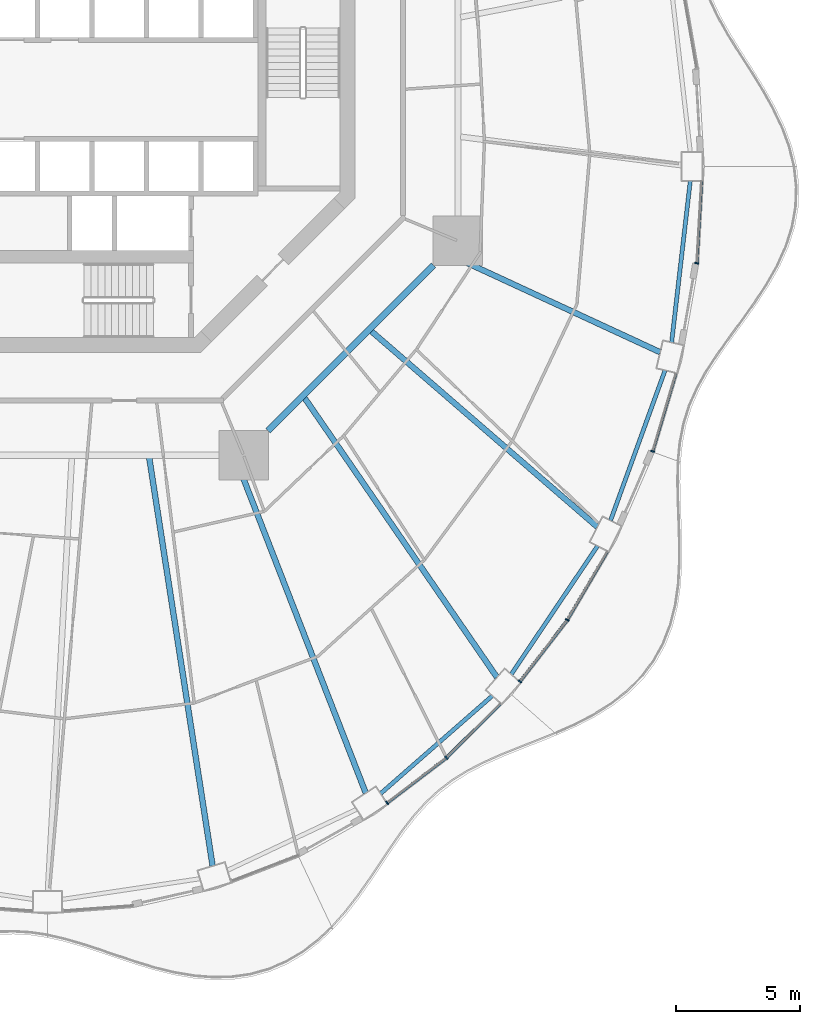
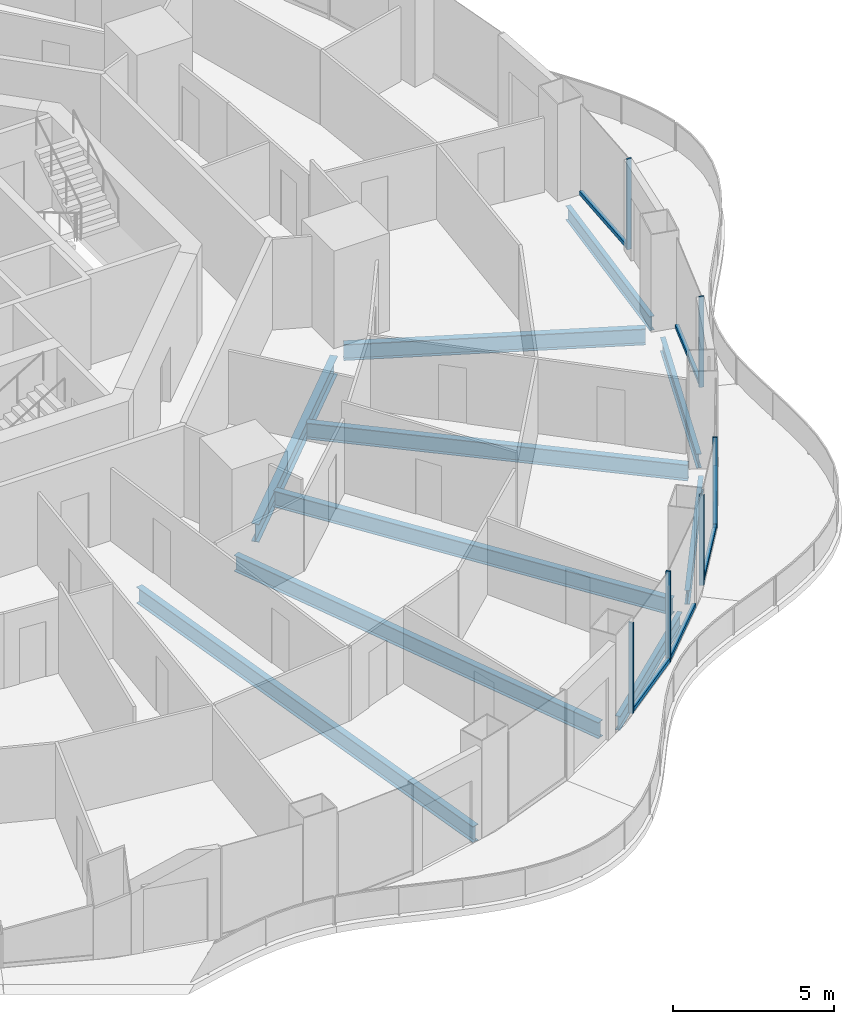
# One storey, part 5 of 19: 12 members, 10 beams, 6 elements without a shape of their own.
"""IFC4 building model written with IfcOpenShell, lengths in metres."""

from ifc_helpers import new_model, si_unit, direction, frame, origin, origin_2d, place, context, subcontext, project, spatial, rectangle, i_section, extrude, material, layer, layer_set, material_profile, profile_set, type_object, element, aggregate, save


model = new_model("IFC4")

# Units and contexts
model_context = context("Model", 3, precision=1e-05, world=origin(), true_north=direction((0.0, 1.0)))
body_context = subcontext(model_context, "Body", "Model", "MODEL_VIEW")
ifc_project = project(units=[si_unit("LENGTHUNIT", "METRE"), si_unit("AREAUNIT", "SQUARE_METRE"), si_unit("VOLUMEUNIT", "CUBIC_METRE"), si_unit("PLANEANGLEUNIT", "RADIAN"), si_unit("MASSUNIT", "GRAM", prefix="KILO")], contexts=[model_context])

# Site, building, storey
site_placement = place(None, origin())
site = spatial("IfcSite", under=ifc_project, at=site_placement, CompositionType="ELEMENT")
building_placement = place(site_placement, origin())
building = spatial("IfcBuilding", under=site, at=building_placement, Name="Nagisa Residences", CompositionType="ELEMENT")
storey_placement = place(building_placement, frame((0.0, 0.0, 149.199951171875)))
storey = spatial("IfcBuildingStorey", under=building, at=storey_placement, Name="L37", CompositionType="ELEMENT", Elevation=149.199951171875)

# Curtain wall, member
ifc_material_1 = material(Name="Concrete-coloured aluminium curtain wall system", Category="concrete")
ifc_layer = layer(ifc_material_1, 0.159912109375)
ifc_layer_set = layer_set([ifc_layer], Name="CW1 CURTAIN WALL")
curtain_wall_type = type_object("IfcCurtainWallType", Name="CW1 CURTAIN WALL", PredefinedType="NOTDEFINED", material=ifc_layer_set)
curtain_wall_1_placement = place(storey_placement, origin())
curtain_wall_1 = element("IfcCurtainWall", 1, at=curtain_wall_1_placement, inside=storey, type_object=curtain_wall_type, Name="cw:CW1:L37:40", PredefinedType="NOTDEFINED")
ifc_material_2 = material(Name="Concrete-coloured aluminium", Category="concrete")
ifc_material_profile_1 = material_profile(ifc_material_2, rectangle(XDim=0.159912109375, YDim=0.06005859375, at=origin_2d()), Name="CW1 MULLION 160x60")
ifc_profile_set_1 = profile_set([ifc_material_profile_1], Name="Concrete-coloured aluminium")
member_type_1 = type_object("IfcMemberType", Name="CW1 MULLION 160x60", PredefinedType="MULLION", material=ifc_profile_set_1)
member_1_placement = place(storey_placement, frame((11.920654296875, -28.822265625, 0.0), z_axis=(0.0, 0.0, 1.0), x_axis=(-0.605255421737, 0.79603132756, 0.0)))
member_1 = element("IfcMember", 2, at=member_1_placement, type_object=member_type_1, Name="CW1 mullion", PredefinedType="MULLION", context=body_context, shape_type="SweptSolid", body=[
    extrude(rectangle(XDim=0.159912109375, YDim=0.06005859375, at=origin_2d()), origin(), (0.0, 0.0, 1.0), 3.43994140625),
])

curtain_wall_2_placement = place(storey_placement, origin())
curtain_wall_2 = element("IfcCurtainWall", 3, at=curtain_wall_2_placement, inside=storey, type_object=curtain_wall_type, Name="cw:CW1:L37:41", PredefinedType="NOTDEFINED")
member_2_placement = place(storey_placement, frame((14.318115234375, -26.9951171875, 0.0), z_axis=(0.0, 0.0, 1.0), x_axis=(-0.706376885714, 0.707835924016, 0.0)))
member_2 = element("IfcMember", 4, at=member_2_placement, type_object=member_type_1, Name="CW1 mullion", PredefinedType="MULLION", context=body_context, shape_type="SweptSolid", body=[
    extrude(rectangle(XDim=0.159912109375, YDim=0.06005859375, at=origin_2d()), origin(), (0.0, 0.0, 1.0), 3.43994140625),
])

curtain_wall_3_placement = place(storey_placement, origin())
curtain_wall_3 = element("IfcCurtainWall", 5, at=curtain_wall_3_placement, inside=storey, type_object=curtain_wall_type, Name="cw:CW1:L37:42", PredefinedType="NOTDEFINED")
member_3_placement = place(storey_placement, frame((17.2841796875, -23.9208984375, 0.0), z_axis=(0.0, 0.0, 1.0), x_axis=(-0.792070340816, 0.610429828235, 0.0)))
member_3 = element("IfcMember", 6, at=member_3_placement, type_object=member_type_1, Name="CW1 mullion", PredefinedType="MULLION", context=body_context, shape_type="SweptSolid", body=[
    extrude(rectangle(XDim=0.159912109375, YDim=0.06005859375, at=origin_2d()), origin(), (0.0, 0.0, 1.0), 3.43994140625),
])

curtain_wall_4_placement = place(storey_placement, origin())
curtain_wall_4 = element("IfcCurtainWall", 7, at=curtain_wall_4_placement, inside=storey, type_object=curtain_wall_type, Name="cw:CW1:L37:43", PredefinedType="NOTDEFINED")
member_4_placement = place(storey_placement, frame((19.19775390625, -21.432861328125, 0.0), z_axis=(0.0, 0.0, 1.0), x_axis=(-0.862328898214, 0.506348567002, 0.0)))
member_4 = element("IfcMember", 8, at=member_4_placement, type_object=member_type_1, Name="CW1 mullion", PredefinedType="MULLION", context=body_context, shape_type="SweptSolid", body=[
    extrude(rectangle(XDim=0.159912109375, YDim=0.06005859375, at=origin_2d()), origin(), (0.0, 0.0, 1.0), 3.43994140625),
])

curtain_wall_5_placement = place(storey_placement, origin())
curtain_wall_5 = element("IfcCurtainWall", 9, at=curtain_wall_5_placement, inside=storey, type_object=curtain_wall_type, Name="cw:CW1:L37:45", PredefinedType="NOTDEFINED")
member_5_placement = place(storey_placement, frame((22.64697265625, -14.62109375, 0.0), z_axis=(0.0, 0.0, 1.0), x_axis=(-0.958271310082, 0.285860274038, 0.0)))
member_5 = element("IfcMember", 10, at=member_5_placement, type_object=member_type_1, Name="CW1 mullion", PredefinedType="MULLION", context=body_context, shape_type="SweptSolid", body=[
    extrude(rectangle(XDim=0.159912109375, YDim=0.06005859375, at=origin_2d()), origin(), (0.0, 0.0, 1.0), 3.43994140625),
])

curtain_wall_6_placement = place(storey_placement, origin())
curtain_wall_6 = element("IfcCurtainWall", 11, at=curtain_wall_6_placement, inside=storey, type_object=curtain_wall_type, Name="cw:CW1:L37:47", PredefinedType="NOTDEFINED")
member_6_placement = place(storey_placement, frame((24.429931640625, -7.0244140625, 0.0), z_axis=(0.0, 0.0, 1.0), x_axis=(-0.998345305184, 0.057503492216, 0.0)))
member_6 = element("IfcMember", 12, at=member_6_placement, type_object=member_type_1, Name="CW1 mullion", PredefinedType="MULLION", context=body_context, shape_type="SweptSolid", body=[
    extrude(rectangle(XDim=0.159912109375, YDim=0.06005859375, at=origin_2d()), origin(), (0.0, 0.0, 1.0), 3.43994140625),
])

# Member
ifc_material_3 = material(Name="Concrete-coloured aluminium", Category="concrete")
ifc_material_profile_2 = material_profile(ifc_material_3, rectangle(XDim=0.1201171875, YDim=0.14990234375, at=origin_2d()), Name="CW1 TRANSOM 120x150")
ifc_profile_set_2 = profile_set([ifc_material_profile_2], Name="Concrete-coloured aluminium")
member_type_2 = type_object("IfcMemberType", Name="CW1 TRANSOM 120x150", PredefinedType="USERDEFINED", material=ifc_profile_set_2)
member_7_placement = place(storey_placement, frame((11.896728515625, -28.840576171875, 0.074951171875), z_axis=(0.796022231079, 0.605267385233, 0.0), x_axis=(-0.605267385233, 0.796022231079, 0.0)))
member_7 = element("IfcMember", 13, at=member_7_placement, type_object=member_type_2, Name="CW1 transom", ObjectType="TRANSOM", PredefinedType="USERDEFINED", context=body_context, shape_type="SweptSolid", body=[
    extrude(rectangle(XDim=0.1201171875, YDim=0.14990234375, at=origin_2d()), origin(), (0.0, 0.0, 1.0), 3.025634765625),
])

aggregate(curtain_wall_1, [member_1, member_7])

member_8_placement = place(storey_placement, frame((14.296875, -27.016357421875, 0.074951171875), z_axis=(0.707857739375, 0.706355024621, 0.0), x_axis=(-0.706355024621, 0.707857739375, 0.0)))
member_8 = element("IfcMember", 14, at=member_8_placement, type_object=member_type_2, Name="CW1 transom", ObjectType="TRANSOM", PredefinedType="USERDEFINED", context=body_context, shape_type="SweptSolid", body=[
    extrude(rectangle(XDim=0.1201171875, YDim=0.14990234375, at=origin_2d()), origin(), (0.0, 0.0, 1.0), 3.0869140625),
])

aggregate(curtain_wall_2, [member_2, member_8])

member_9_placement = place(storey_placement, frame((17.265869140625, -23.94482421875, 0.074951171875), z_axis=(0.610429847179, 0.792070326217, 0.0), x_axis=(-0.792070326217, 0.610429847179, 0.0)))
member_9 = element("IfcMember", 15, at=member_9_placement, type_object=member_type_2, Name="CW1 transom", ObjectType="TRANSOM", PredefinedType="USERDEFINED", context=body_context, shape_type="SweptSolid", body=[
    extrude(rectangle(XDim=0.1201171875, YDim=0.14990234375, at=origin_2d()), origin(), (0.0, 0.0, 1.0), 3.149169921875),
])

aggregate(curtain_wall_3, [member_3, member_9])

member_10_placement = place(storey_placement, frame((19.1826171875, -21.458740234375, 0.074951171875), z_axis=(0.506348207891, 0.86232910908, 0.0), x_axis=(-0.86232910908, 0.506348207891, 0.0)))
member_10 = element("IfcMember", 16, at=member_10_placement, type_object=member_type_2, Name="CW1 transom", ObjectType="TRANSOM", PredefinedType="USERDEFINED", context=body_context, shape_type="SweptSolid", body=[
    extrude(rectangle(XDim=0.1201171875, YDim=0.14990234375, at=origin_2d()), origin(), (0.0, 0.0, 1.0), 3.208251953125),
])

aggregate(curtain_wall_4, [member_4, member_10])

member_11_placement = place(storey_placement, frame((22.638427734375, -14.64990234375, 0.074951171875), z_axis=(0.285909915381, 0.958256500258, 0.0), x_axis=(-0.958256500258, 0.285909915381, 0.0)))
member_11 = element("IfcMember", 17, at=member_11_placement, type_object=member_type_2, Name="CW1 transom", ObjectType="TRANSOM", PredefinedType="USERDEFINED", context=body_context, shape_type="SweptSolid", body=[
    extrude(rectangle(XDim=0.1201171875, YDim=0.14990234375, at=origin_2d()), origin(), (0.0, 0.0, 1.0), 3.302978515625),
])

aggregate(curtain_wall_5, [member_5, member_11])

member_12_placement = place(storey_placement, frame((24.42822265625, -7.054443359375, 0.074951171875), z_axis=(0.05746514539, 0.998347513176, 0.0), x_axis=(-0.998347513176, 0.05746514539, 0.0)))
member_12 = element("IfcMember", 18, at=member_12_placement, type_object=member_type_2, Name="CW1 transom", ObjectType="TRANSOM", PredefinedType="USERDEFINED", context=body_context, shape_type="SweptSolid", body=[
    extrude(rectangle(XDim=0.1201171875, YDim=0.14990234375, at=origin_2d()), origin(), (0.0, 0.0, 1.0), 3.347900390625),
])

aggregate(curtain_wall_6, [member_6, member_12])

# Beams
ifc_material_4 = material(Name="Steel ASTM A572 Gr 50", Category="steel")
ifc_material_profile_3 = material_profile(ifc_material_4, i_section(OverallWidth=0.25390625, OverallDepth=0.68408203125, WebThickness=0.012451171875, FlangeThickness=0.018798828125, at=origin_2d()), Name="W690x140")
ifc_profile_set_3 = profile_set([ifc_material_profile_3], Name="Steel ASTM A572 Gr 50")
beam_type_1 = type_object("IfcBeamType", Name="Inner ring beam W690x140", PredefinedType="BEAM", material=ifc_profile_set_3)
beam_1_placement = place(storey_placement, frame((7.10888671875, -13.796142578125, -0.60205078125), z_axis=(0.707106781187, 0.707106781187, 0.0), x_axis=(-0.707106781187, 0.707106781187, 0.0)))
element("IfcBeam", 19, at=beam_1_placement, inside=storey, type_object=beam_type_1, Name="beam:L37:ib7", PredefinedType="BEAM", context=body_context, shape_type="SweptSolid", body=[
    extrude(i_section(OverallWidth=0.25390625, OverallDepth=0.68408203125, WebThickness=0.012451171875, FlangeThickness=0.018798828125, at=origin_2d()), origin(), (0.0, 0.0, 1.0), 9.457275390625),
])
ifc_material_5 = material(Name="Steel ASTM A572 Gr 50", Category="steel")
ifc_material_profile_4 = material_profile(ifc_material_5, i_section(OverallWidth=0.166015625, OverallDepth=0.534912109375, WebThickness=0.01025390625, FlangeThickness=0.0166015625, at=origin_2d()), Name="W530x85")
ifc_profile_set_4 = profile_set([ifc_material_profile_4], Name="Steel ASTM A572 Gr 50")
beam_type_2 = type_object("IfcBeamType", Name="Perimeter ring beam W530x85", PredefinedType="BEAM", material=ifc_profile_set_4)
beam_2_placement = place(storey_placement, frame((11.658203125, -28.448486328125, -0.52734375), z_axis=(0.75252371036, 0.658565156493, 0.0), x_axis=(-0.658565156493, 0.75252371036, 0.0)))
element("IfcBeam", 20, at=beam_2_placement, inside=storey, type_object=beam_type_2, Name="beam:L37:pb21", PredefinedType="BEAM", context=body_context, shape_type="SweptSolid", body=[
    extrude(i_section(OverallWidth=0.166015625, OverallDepth=0.534912109375, WebThickness=0.01025390625, FlangeThickness=0.0166015625, at=origin_2d()), origin(), (0.0, 0.0, 1.0), 5.994384765625),
])
beam_3_placement = place(storey_placement, frame((16.93603515625, -23.6298828125, -0.52734375), z_axis=(0.558187951157, 0.82971453596, 0.0), x_axis=(-0.82971453596, 0.558187951157, 0.0)))
element("IfcBeam", 21, at=beam_3_placement, inside=storey, type_object=beam_type_2, Name="beam:L37:pb22", PredefinedType="BEAM", context=body_context, shape_type="SweptSolid", body=[
    extrude(i_section(OverallWidth=0.166015625, OverallDepth=0.534912109375, WebThickness=0.01025390625, FlangeThickness=0.0166015625, at=origin_2d()), origin(), (0.0, 0.0, 1.0), 6.24267578125),
])
beam_4_placement = place(storey_placement, frame((20.946533203125, -17.415771484375, -0.52734375), z_axis=(0.341332802315, 0.93994250785, 0.0), x_axis=(-0.93994250785, 0.341332802315, 0.0)))
element("IfcBeam", 22, at=beam_4_placement, inside=storey, type_object=beam_type_2, Name="beam:L37:pb23", PredefinedType="BEAM", context=body_context, shape_type="SweptSolid", body=[
    extrude(i_section(OverallWidth=0.166015625, OverallDepth=0.534912109375, WebThickness=0.01025390625, FlangeThickness=0.0166015625, at=origin_2d()), origin(), (0.0, 0.0, 1.0), 6.450927734375),
])
beam_5_placement = place(storey_placement, frame((23.414794921875, -10.22314453125, -0.52734375), z_axis=(0.114660786771, 0.993404703017, 0.0), x_axis=(-0.993404703017, 0.114660786771, 0.0)))
element("IfcBeam", 23, at=beam_5_placement, inside=storey, type_object=beam_type_2, Name="beam:L37:pb24", PredefinedType="BEAM", context=body_context, shape_type="SweptSolid", body=[
    extrude(i_section(OverallWidth=0.166015625, OverallDepth=0.534912109375, WebThickness=0.01025390625, FlangeThickness=0.0166015625, at=origin_2d()), origin(), (0.0, 0.0, 1.0), 6.568603515625),
])
ifc_material_6 = material(Name="Steel ASTM A572 Gr 50", Category="steel")
ifc_material_profile_5 = material_profile(ifc_material_6, i_section(OverallWidth=0.22900390625, OverallDepth=0.612060546875, WebThickness=0.011962890625, FlangeThickness=0.01953125, at=origin_2d()), Name="W610x125")
ifc_profile_set_5 = profile_set([ifc_material_profile_5], Name="Steel ASTM A572 Gr 50")
beam_type_3 = type_object("IfcBeamType", Name="Radial beam W610x125", PredefinedType="BEAM", material=ifc_profile_set_5)
beam_6_placement = place(storey_placement, frame((4.87158203125, -31.371337890625, -0.56591796875), z_axis=(-0.153441816097, 0.988157684316, 0.0), x_axis=(-0.988157684316, -0.153441816097, 0.0)))
element("IfcBeam", 24, at=beam_6_placement, inside=storey, type_object=beam_type_3, Name="beam:L37:rb20", PredefinedType="BEAM", context=body_context, shape_type="SweptSolid", body=[
    extrude(i_section(OverallWidth=0.22900390625, OverallDepth=0.612060546875, WebThickness=0.011962890625, FlangeThickness=0.01953125, at=origin_2d()), origin(), (0.0, 0.0, 1.0), 16.679443359375),
])
beam_7_placement = place(storey_placement, frame((11.057861328125, -28.424072265625, -0.56591796875), z_axis=(-0.362553351511, 0.931963018208, 0.0), x_axis=(-0.931963018208, -0.362553351511, 0.0)))
element("IfcBeam", 25, at=beam_7_placement, inside=storey, type_object=beam_type_3, Name="beam:L37:rb21", PredefinedType="BEAM", context=body_context, shape_type="SweptSolid", body=[
    extrude(i_section(OverallWidth=0.22900390625, OverallDepth=0.612060546875, WebThickness=0.011962890625, FlangeThickness=0.01953125, at=origin_2d()), origin(), (0.0, 0.0, 1.0), 14.521728515625),
])
beam_8_placement = place(storey_placement, frame((16.357666015625, -23.74951171875, -0.56591796875), z_axis=(-0.567235127754, 0.823555893575, 0.0), x_axis=(-0.823555893575, -0.567235127754, 0.0)))
element("IfcBeam", 26, at=beam_8_placement, inside=storey, type_object=beam_type_3, Name="beam:L37:rb22", PredefinedType="BEAM", context=body_context, shape_type="SweptSolid", body=[
    extrude(i_section(OverallWidth=0.22900390625, OverallDepth=0.612060546875, WebThickness=0.011962890625, FlangeThickness=0.01953125, at=origin_2d()), origin(), (0.0, 0.0, 1.0), 13.697509765625),
])
beam_9_placement = place(storey_placement, frame((20.41162109375, -17.6748046875, -0.56591796875), z_axis=(-0.755973913649, 0.654601742957, 0.0), x_axis=(-0.654601742957, -0.755973913649, 0.0)))
element("IfcBeam", 27, at=beam_9_placement, inside=storey, type_object=beam_type_3, Name="beam:L37:rb23", PredefinedType="BEAM", context=body_context, shape_type="SweptSolid", body=[
    extrude(i_section(OverallWidth=0.22900390625, OverallDepth=0.612060546875, WebThickness=0.011962890625, FlangeThickness=0.01953125, at=origin_2d()), origin(), (0.0, 0.0, 1.0), 12.072998046875),
])
beam_10_placement = place(storey_placement, frame((22.94921875, -10.618896484375, -0.56591796875), z_axis=(-0.907551024181, 0.419941827528, 0.0), x_axis=(-0.419941827528, -0.907551024181, 0.0)))
element("IfcBeam", 28, at=beam_10_placement, inside=storey, type_object=beam_type_3, Name="beam:L37:rb24", PredefinedType="BEAM", context=body_context, shape_type="SweptSolid", body=[
    extrude(i_section(OverallWidth=0.22900390625, OverallDepth=0.612060546875, WebThickness=0.011962890625, FlangeThickness=0.01953125, at=origin_2d()), origin(), (0.0, 0.0, 1.0), 9.424072265625),
])

save(model, "model.ifc")
